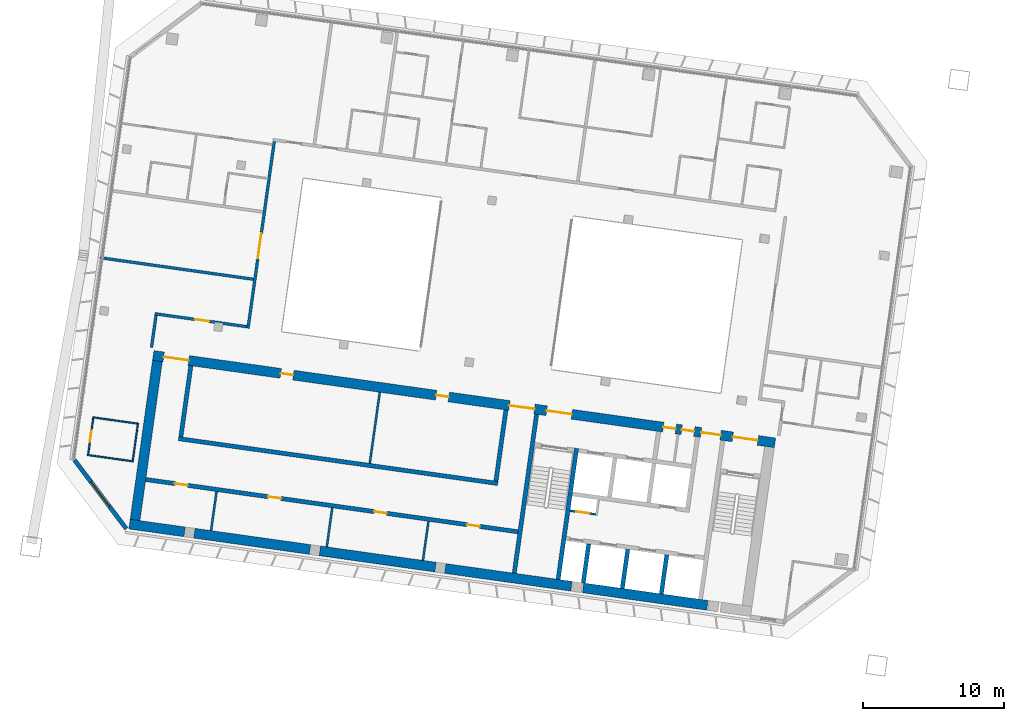
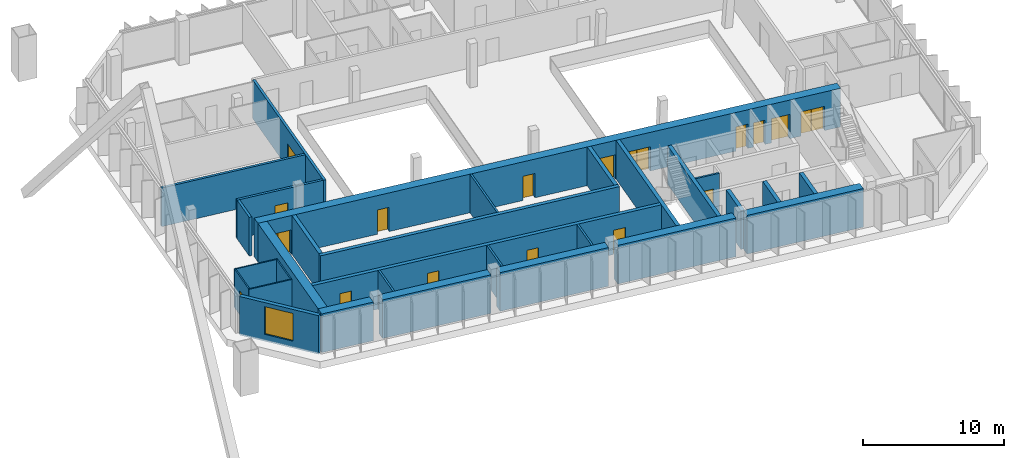
# One storey, part 13 of 23: 30 walls, 17 doors, 1 window, 18 openings.
"""IFC4 building model written with IfcOpenShell, lengths in metres."""

from ifc_helpers import new_model, si_unit, direction, frame, frame_2d, origin, place, context, subcontext, project, spatial, rectangle, extrude, material, layer, layer_set, type_object, element, fill, save


model = new_model("IFC4")

# Units and contexts
model_context = context("Model", 3, precision=1e-05, world=origin(), true_north=direction((0.0, 1.0)))
body_context = subcontext(model_context, "Body", "Model", "MODEL_VIEW")
ifc_project = project(units=[si_unit("LENGTHUNIT", "METRE"), si_unit("AREAUNIT", "SQUARE_METRE"), si_unit("VOLUMEUNIT", "CUBIC_METRE"), si_unit("PLANEANGLEUNIT", "RADIAN"), si_unit("MASSUNIT", "GRAM", prefix="KILO")], contexts=[model_context])

# Site, building, storey
site_placement = place(None, origin())
site = spatial("IfcSite", under=ifc_project, at=site_placement, CompositionType="ELEMENT")
building_placement = place(site_placement, origin())
building = spatial("IfcBuilding", under=site, at=building_placement, Name="Mirante Cascada Hotel Towers", CompositionType="ELEMENT")
storey_placement = place(building_placement, frame((0.0, 0.0, 195.4)))
storey = spatial("IfcBuildingStorey", under=building, at=storey_placement, Name="L46", CompositionType="ELEMENT", Elevation=195.4)

# Wall, opening, door
ifc_material_1 = material(Name="Fire-rated plasterboard on metal studs")
ifc_layer_1 = layer(ifc_material_1, 0.2)
ifc_layer_set_1 = layer_set([ifc_layer_1], Name="Compartment wall 200 EI 120")
wall_type_1 = type_object("IfcWallType", Name="Compartment wall 200 EI 120", PredefinedType="PARTITIONING", material=ifc_layer_set_1)
wall_1_placement = place(storey_placement, frame((-79.5905, 1.5361, 0.0), z_axis=(0.0, 0.0, 1.0), x_axis=(0.990267, -0.139181, 0.0)))
wall_1 = element("IfcWall", 1, at=wall_1_placement, inside=storey, type_object=wall_type_1, Name="Wall 1-L46-06", PredefinedType="PARTITIONING", context=body_context, shape_type="SweptSolid", body=[
    extrude(rectangle(XDim=6.6, YDim=0.2, at=frame_2d((3.3, 0.0))), origin(), (0.0, 0.0, 1.0), 3.35),
])
opening_1_placement = place(wall_1_placement, frame((2.9, 0.0, 0.0)))
opening_1 = element("IfcOpeningElement", 2, at=opening_1_placement, cuts=wall_1, Name="Opening D1-L46-03", PredefinedType="OPENING", context=body_context, shape_type="SweptSolid", body=[
    extrude(rectangle(XDim=1.0, YDim=2.1, at=frame_2d((0.5, 1.05))), frame((0.0, 0.1, 0.0), z_axis=(0.0, -1.0, 0.0), x_axis=(1.0, 0.0, 0.0)), (0.0, 0.0, 1.0), 0.2),
])
ifc_material_2 = material(Name="Fire-rated timber door leaf", Category="wood")
door_type_1 = type_object("IfcDoorType", Name="Entrance door DG1 1000x2100 EI 60", OperationType="SINGLE_SWING_LEFT", PredefinedType="DOOR", material=ifc_material_2)
door_1_placement = place(opening_1_placement, frame((1.0, 0.0, 0.0), z_axis=(0.0, 0.0, 1.0), x_axis=(-1.0, 0.0, 0.0)))
door_1 = element("IfcDoor", 3, at=door_1_placement, inside=storey, type_object=door_type_1, Name="Door D1-L46-03", OperationType="SINGLE_SWING_RIGHT", OverallHeight=2.1, OverallWidth=1.0, PredefinedType="DOOR", context=body_context, shape_type="SweptSolid", body=[
    extrude(rectangle(XDim=1.0, YDim=2.1, at=frame_2d((0.5, 1.05))), frame((0.0, 0.025, 0.0), z_axis=(0.0, -1.0, 0.0), x_axis=(1.0, 0.0, 0.0)), (0.0, 0.0, 1.0), 0.05),
])
fill(opening_1, door_1)

# Wall
wall_2_placement = place(storey_placement, frame((-83.4745, 5.5153, 0.0), z_axis=(0.0, 0.0, 1.0), x_axis=(0.9902682, -0.1391721, 0.0)))
element("IfcWall", 4, at=wall_2_placement, inside=storey, type_object=wall_type_1, Name="Wall 1-L46-10", PredefinedType="PARTITIONING", context=body_context, shape_type="SweptSolid", body=[
    extrude(rectangle(XDim=11.0001, YDim=0.2, at=frame_2d((5.5, 0.0))), origin(), (0.0, 0.0, 1.0), 3.35),
])

# Wall, opening, door
wall_3_placement = place(storey_placement, frame((-72.9696, 0.5046, 0.0), z_axis=(0.0, 0.0, 1.0), x_axis=(0.1391716, 0.9902683, 0.0)))
wall_3 = element("IfcWall", 5, at=wall_3_placement, inside=storey, type_object=wall_type_1, Name="Wall 1-L46-47", PredefinedType="PARTITIONING", context=body_context, shape_type="SweptSolid", body=[
    extrude(rectangle(XDim=13.4, YDim=0.2, at=frame_2d((6.7, 0.0))), origin(), (0.0, 0.0, 1.0), 3.35),
])
opening_2_placement = place(wall_3_placement, frame((5.0167, 0.0, 0.0)))
opening_2 = element("IfcOpeningElement", 6, at=opening_2_placement, cuts=wall_3, Name="Opening D1-L46-28", PredefinedType="OPENING", context=body_context, shape_type="SweptSolid", body=[
    extrude(rectangle(XDim=1.8, YDim=2.1, at=frame_2d((0.9, 1.05))), frame((0.0, 0.1, 0.0), z_axis=(0.0, -1.0, 0.0), x_axis=(1.0, 0.0, 0.0)), (0.0, 0.0, 1.0), 0.2),
])
ifc_material_3 = material(Name="Fire-rated timber door leaf", Category="wood")
door_type_2 = type_object("IfcDoorType", Name="Suite double door DG2 1800x2100 EI 60", OperationType="DOUBLE_DOOR_SINGLE_SWING", PredefinedType="DOOR", material=ifc_material_3)
door_2_placement = place(opening_2_placement, origin())
door_2 = element("IfcDoor", 7, at=door_2_placement, inside=storey, type_object=door_type_2, Name="Door D1-L46-28", OperationType="DOUBLE_DOOR_SINGLE_SWING", OverallHeight=2.1, OverallWidth=1.8, PredefinedType="DOOR", context=body_context, shape_type="SweptSolid", body=[
    extrude(rectangle(XDim=0.895, YDim=2.1, at=frame_2d((0.4475, 1.05))), frame((0.0, 0.025, 0.0), z_axis=(0.0, -1.0, 0.0), x_axis=(1.0, 0.0, 0.0)), (0.0, 0.0, 1.0), 0.05),
    extrude(rectangle(XDim=0.895, YDim=2.1, at=frame_2d((1.3525, 1.05))), frame((0.0, 0.025, 0.0), z_axis=(0.0, -1.0, 0.0), x_axis=(1.0, 0.0, 0.0)), (0.0, 0.0, 1.0), 0.05),
])
fill(opening_2, door_2)

# Wall
wall_4_placement = place(storey_placement, frame((-79.5054, 1.4231, 0.0), z_axis=(0.0, 0.0, 1.0), x_axis=(-0.1391749, -0.9902678, 0.0)))
element("IfcWall", 8, at=wall_4_placement, inside=storey, type_object=wall_type_1, Name="Wall 1-L46-50", PredefinedType="PARTITIONING", context=body_context, shape_type="SweptSolid", body=[
    extrude(rectangle(XDim=2.3, YDim=0.2, at=frame_2d((1.15, 0.0))), origin(), (0.0, 0.0, 1.0), 3.35),
])

# Wall, opening, door
ifc_material_4 = material(Name="Masonry block", Category="masonry")
ifc_layer_2 = layer(ifc_material_4, 0.15)
ifc_layer_set_2 = layer_set([ifc_layer_2], Name="Core room partition 150 block EI 30")
wall_type_2 = type_object("IfcWallType", Name="Core room partition 150 block EI 30", PredefinedType="PARTITIONING", material=ifc_layer_set_2)
wall_5_placement = place(storey_placement, frame((-48.2933, -12.7083, 0.0), z_axis=(0.0, 0.0, 1.0), x_axis=(-0.990268, 0.1391734, 0.0)))
wall_5 = element("IfcWall", 9, at=wall_5_placement, inside=storey, type_object=wall_type_2, Name="Core wall partition T1 L46 3", PredefinedType="PARTITIONING", context=body_context, shape_type="SweptSolid", body=[
    extrude(rectangle(XDim=1.8251, YDim=0.15, at=frame_2d((0.9126, 0.0))), origin(), (0.0, 0.0, 1.0), 3.35),
])
opening_3_placement = place(wall_5_placement, frame((0.4625, 0.0, 0.0)))
opening_3 = element("IfcOpeningElement", 10, at=opening_3_placement, cuts=wall_5, Name="Opening D1-46-C15", PredefinedType="OPENING", context=body_context, shape_type="SweptSolid", body=[
    extrude(rectangle(XDim=0.9, YDim=2.1, at=frame_2d((0.45, 1.05))), frame((0.0, 0.075, 0.0), z_axis=(0.0, -1.0, 0.0), x_axis=(1.0, 0.0, 0.0)), (0.0, 0.0, 1.0), 0.15),
])
ifc_material_5 = material(Name="Hollow metal fire door leaf")
door_type_3 = type_object("IfcDoorType", Name="Fire door 900x2100 FD60", OperationType="NOTDEFINED", PredefinedType="DOOR", material=ifc_material_5)
door_3_placement = place(opening_3_placement, origin())
door_3 = element("IfcDoor", 11, at=door_3_placement, inside=storey, type_object=door_type_3, Name="Riser door T1 L46 15", OperationType="SINGLE_SWING_LEFT", OverallHeight=2.1, OverallWidth=0.9, PredefinedType="DOOR", context=body_context, shape_type="SweptSolid", body=[
    extrude(rectangle(XDim=0.9, YDim=2.1, at=frame_2d((0.45, 1.05))), frame((0.0, 0.025, 0.0), z_axis=(0.0, -1.0, 0.0), x_axis=(1.0, 0.0, 0.0)), (0.0, 0.0, 1.0), 0.05),
])
fill(opening_3, door_3)

# Walls
for number, where, z_axis, x_axis, name in (
    (12, (-60.5436, -15.9853, 0.0), (0.0, 0.0, 1.0), (0.139176, 0.9902677, 0.0), "Core wall partition T1 L46 6"),
    (13, (-67.3765, -15.025, 0.0), (0.0, 0.0, 1.0), (0.139176, 0.9902677, 0.0), "Core wall partition T1 L46 7"),
):
    element("IfcWall", number, at=place(storey_placement, frame(where, z_axis=z_axis, x_axis=x_axis)), inside=storey, type_object=wall_type_2, Name=name, PredefinedType="PARTITIONING", context=body_context, shape_type="SweptSolid", body=[
        extrude(rectangle(XDim=2.8001, YDim=0.15, at=frame_2d((1.4, 0.0))), origin(), (0.0, 0.0, 1.0), 3.35),
    ])
wall_6_placement = place(storey_placement, frame((-75.5957, -13.8698, 0.0), z_axis=(0.0, 0.0, 1.0), x_axis=(0.139181, 0.990267, 0.0)))
element("IfcWall", 14, at=wall_6_placement, inside=storey, type_object=wall_type_2, Name="Core wall partition T1 L46 8", PredefinedType="PARTITIONING", context=body_context, shape_type="SweptSolid", body=[
    extrude(rectangle(XDim=2.8, YDim=0.15, at=frame_2d((1.4, 0.0))), origin(), (0.0, 0.0, 1.0), 3.35),
])
wall_7_placement = place(storey_placement, frame((-64.3211, -9.0925, 0.0), z_axis=(0.0, 0.0, 1.0), x_axis=(0.1391755, 0.9902677, 0.0)))
element("IfcWall", 15, at=wall_7_placement, inside=storey, type_object=wall_type_2, Name="Core wall partition T1 L46 9", PredefinedType="PARTITIONING", context=body_context, shape_type="SweptSolid", body=[
    extrude(rectangle(XDim=5.1, YDim=0.15, at=frame_2d((2.55, 0.0))), origin(), (0.0, 0.0, 1.0), 3.35),
])

# Wall, openings, doors
ifc_material_6 = material(Name="Masonry block", Category="masonry")
ifc_layer_3 = layer(ifc_material_6, 0.3)
ifc_layer_set_3 = layer_set([ifc_layer_3], Name="Core wall 300 block EI 120")
wall_type_3 = type_object("IfcWallType", Name="Core wall 300 block EI 120", PredefinedType="PARTITIONING", material=ifc_layer_set_3)
wall_8_placement = place(storey_placement, frame((-53.7953, -13.9547, 0.0), z_axis=(0.0, 0.0, 1.0), x_axis=(-0.9902677, 0.1391758, 0.0)))
wall_8 = element("IfcWall", 16, at=wall_8_placement, inside=storey, type_object=wall_type_3, Name="Core wall partition T1 L46 5", PredefinedType="PARTITIONING", context=body_context, shape_type="SweptSolid", body=[
    extrude(rectangle(XDim=26.7001, YDim=0.3, at=frame_2d((13.35, 0.0))), origin(), (0.0, 0.0, 1.0), 3.35),
])
opening_4_placement = place(wall_8_placement, frame((2.75, 0.0, 0.0)))
opening_4 = element("IfcOpeningElement", 17, at=opening_4_placement, cuts=wall_8, Name="Opening D1-46-C18", PredefinedType="OPENING", context=body_context, shape_type="SweptSolid", body=[
    extrude(rectangle(XDim=0.9, YDim=2.1, at=frame_2d((0.45, 1.05))), frame((0.0, 0.15, 0.0), z_axis=(0.0, -1.0, 0.0), x_axis=(1.0, 0.0, 0.0)), (0.0, 0.0, 1.0), 0.3),
])
opening_5_placement = place(wall_8_placement, frame((9.4, 0.0, 0.0)))
opening_5 = element("IfcOpeningElement", 18, at=opening_5_placement, cuts=wall_8, Name="Opening D1-46-C19", PredefinedType="OPENING", context=body_context, shape_type="SweptSolid", body=[
    extrude(rectangle(XDim=0.9, YDim=2.1, at=frame_2d((0.45, 1.05))), frame((0.0, 0.15, 0.0), z_axis=(0.0, -1.0, 0.0), x_axis=(1.0, 0.0, 0.0)), (0.0, 0.0, 1.0), 0.3),
])
opening_6_placement = place(wall_8_placement, frame((17.0, 0.0, 0.0)))
opening_6 = element("IfcOpeningElement", 19, at=opening_6_placement, cuts=wall_8, Name="Opening D1-46-C20", PredefinedType="OPENING", context=body_context, shape_type="SweptSolid", body=[
    extrude(rectangle(XDim=0.9, YDim=2.1, at=frame_2d((0.45, 1.05))), frame((0.0, 0.15, 0.0), z_axis=(0.0, -1.0, 0.0), x_axis=(1.0, 0.0, 0.0)), (0.0, 0.0, 1.0), 0.3),
])
opening_7_placement = place(wall_8_placement, frame((23.7, 0.0, 0.0)))
opening_7 = element("IfcOpeningElement", 20, at=opening_7_placement, cuts=wall_8, Name="Opening D1-46-C21", PredefinedType="OPENING", context=body_context, shape_type="SweptSolid", body=[
    extrude(rectangle(XDim=0.9, YDim=2.1, at=frame_2d((0.45, 1.05))), frame((0.0, 0.15, 0.0), z_axis=(0.0, -1.0, 0.0), x_axis=(1.0, 0.0, 0.0)), (0.0, 0.0, 1.0), 0.3),
])
door_4_placement = place(opening_4_placement, origin())
door_4 = element("IfcDoor", 21, at=door_4_placement, inside=storey, type_object=door_type_3, Name="Room door T1 L46 18", OperationType="SINGLE_SWING_RIGHT", OverallHeight=2.1, OverallWidth=0.9, PredefinedType="DOOR", context=body_context, shape_type="SweptSolid", body=[
    extrude(rectangle(XDim=0.9, YDim=2.1, at=frame_2d((0.45, 1.05))), frame((0.0, 0.025, 0.0), z_axis=(0.0, -1.0, 0.0), x_axis=(1.0, 0.0, 0.0)), (0.0, 0.0, 1.0), 0.05),
])
fill(opening_4, door_4)
door_5_placement = place(opening_5_placement, origin())
door_5 = element("IfcDoor", 22, at=door_5_placement, inside=storey, type_object=door_type_3, Name="Room door T1 L46 19", OperationType="SINGLE_SWING_RIGHT", OverallHeight=2.1, OverallWidth=0.9, PredefinedType="DOOR", context=body_context, shape_type="SweptSolid", body=[
    extrude(rectangle(XDim=0.9, YDim=2.1, at=frame_2d((0.45, 1.05))), frame((0.0, 0.025, 0.0), z_axis=(0.0, -1.0, 0.0), x_axis=(1.0, 0.0, 0.0)), (0.0, 0.0, 1.0), 0.05),
])
fill(opening_5, door_5)
door_6_placement = place(opening_6_placement, origin())
door_6 = element("IfcDoor", 23, at=door_6_placement, inside=storey, type_object=door_type_3, Name="Room door T1 L46 20", OperationType="SINGLE_SWING_LEFT", OverallHeight=2.1, OverallWidth=0.9, PredefinedType="DOOR", context=body_context, shape_type="SweptSolid", body=[
    extrude(rectangle(XDim=0.9, YDim=2.1, at=frame_2d((0.45, 1.05))), frame((0.0, 0.025, 0.0), z_axis=(0.0, -1.0, 0.0), x_axis=(1.0, 0.0, 0.0)), (0.0, 0.0, 1.0), 0.05),
])
fill(opening_6, door_6)
door_7_placement = place(opening_7_placement, origin())
door_7 = element("IfcDoor", 24, at=door_7_placement, inside=storey, type_object=door_type_3, Name="Room door T1 L46 21", OperationType="SINGLE_SWING_LEFT", OverallHeight=2.1, OverallWidth=0.9, PredefinedType="DOOR", context=body_context, shape_type="SweptSolid", body=[
    extrude(rectangle(XDim=0.9, YDim=2.1, at=frame_2d((0.45, 1.05))), frame((0.0, 0.025, 0.0), z_axis=(0.0, -1.0, 0.0), x_axis=(1.0, 0.0, 0.0)), (0.0, 0.0, 1.0), 0.05),
])
fill(opening_7, door_7)

# Walls
ifc_material_7 = material(Name="Plasterboard on metal studs")
ifc_layer_4 = layer(ifc_material_7, 0.1)
ifc_layer_set_4 = layer_set([ifc_layer_4], Name="Partition 100")
wall_type_4 = type_object("IfcWallType", Name="Partition 100", PredefinedType="PARTITIONING", material=ifc_layer_set_4)
for number, where, z_axis, x_axis, name in (
    (25, (-84.3831, -8.4945, 0.0), (0.0, 0.0, 1.0), (0.990267, -0.139181, 0.0), "Wall 1-L46-02"),
    (26, (-80.7395, -6.2801, 0.0), (0.0, 0.0, 1.0), (-0.990267, 0.139181, 0.0), "Wall 1-L46-03"),
):
    element("IfcWall", number, at=place(storey_placement, frame(where, z_axis=z_axis, x_axis=x_axis)), inside=storey, type_object=wall_type_4, Name=name, PredefinedType="PARTITIONING", context=body_context, shape_type="SweptSolid", body=[
        extrude(rectangle(XDim=3.3, YDim=0.1, at=frame_2d((1.65, 0.0))), origin(), (0.0, 0.0, 1.0), 3.35),
    ])
wall_9_placement = place(storey_placement, frame((-81.1578, -8.8973, 0.0), z_axis=(0.0, 0.0, 1.0), x_axis=(0.1391918, 0.9902654, 0.0)))
element("IfcWall", 27, at=wall_9_placement, inside=storey, type_object=wall_type_4, Name="Wall 1-L46-51", PredefinedType="PARTITIONING", context=body_context, shape_type="SweptSolid", body=[
    extrude(rectangle(XDim=2.6, YDim=0.1, at=frame_2d((1.3, 0.0))), origin(), (0.0, 0.0, 1.0), 3.35),
])

# Wall, opening, door
wall_10_placement = place(storey_placement, frame((-84.3266, -8.452, 0.0), z_axis=(0.0, 0.0, 1.0), x_axis=(0.1391541, 0.9902707, 0.0)))
wall_10 = element("IfcWall", 28, at=wall_10_placement, inside=storey, type_object=wall_type_4, Name="Wall 1-L46-53", PredefinedType="PARTITIONING", context=body_context, shape_type="SweptSolid", body=[
    extrude(rectangle(XDim=2.6, YDim=0.1, at=frame_2d((1.3, 0.0))), origin(), (0.0, 0.0, 1.0), 3.35),
])
opening_8_placement = place(wall_10_placement, frame((0.9, 0.0, 0.0)))
opening_8 = element("IfcOpeningElement", 29, at=opening_8_placement, cuts=wall_10, Name="Opening D1-L46-31", PredefinedType="OPENING", context=body_context, shape_type="SweptSolid", body=[
    extrude(rectangle(XDim=0.8, YDim=2.1, at=frame_2d((0.4, 1.05))), frame((0.0, 0.05, 0.0), z_axis=(0.0, -1.0, 0.0), x_axis=(1.0, 0.0, 0.0)), (0.0, 0.0, 1.0), 0.1),
])
ifc_material_8 = material(Name="Timber door leaf", Category="wood")
door_type_4 = type_object("IfcDoorType", Name="Bathroom door DG4 800x2100", OperationType="SINGLE_SWING_LEFT", PredefinedType="DOOR", material=ifc_material_8)
door_8_placement = place(opening_8_placement, frame((0.8, 0.0, 0.0), z_axis=(0.0, 0.0, 1.0), x_axis=(-1.0, 0.0, 0.0)))
door_8 = element("IfcDoor", 30, at=door_8_placement, inside=storey, type_object=door_type_4, Name="Door D1-L46-31", OperationType="SINGLE_SWING_RIGHT", OverallHeight=2.1, OverallWidth=0.8, PredefinedType="DOOR", context=body_context, shape_type="SweptSolid", body=[
    extrude(rectangle(XDim=0.8, YDim=2.1, at=frame_2d((0.4, 1.05))), frame((0.0, 0.025, 0.0), z_axis=(0.0, -1.0, 0.0), x_axis=(1.0, 0.0, 0.0)), (0.0, 0.0, 1.0), 0.05),
])
fill(opening_8, door_8)

# Wall, opening, window
ifc_material_9 = material(Name="Precast concrete C40/50", Category="concrete")
ifc_layer_5 = layer(ifc_material_9, 0.3)
ifc_layer_set_5 = layer_set([ifc_layer_5], Name="Precast concrete C40/50 cladding wall 300")
wall_type_5 = type_object("IfcWallType", Name="Precast concrete C40/50 cladding wall 300", PredefinedType="STANDARD", material=ifc_layer_set_5)
wall_11_placement = place(storey_placement, frame((-81.6175, -13.7366, 0.0), z_axis=(0.0, 0.0, 1.0), x_axis=(-0.6018141, 0.7986362, 0.0)))
wall_11 = element("IfcWall", 31, at=wall_11_placement, inside=storey, type_object=wall_type_5, Name="Corner cladding wall T1 L46 rear outer", PredefinedType="STANDARD", context=body_context, shape_type="SweptSolid", body=[
    extrude(rectangle(XDim=6.1157, YDim=0.3, at=frame_2d((3.0578, 0.0))), origin(), (0.0, 0.0, 1.0), 3.35),
])
opening_9_placement = place(wall_11_placement, frame((1.9578, 0.0, 0.6)))
opening_9 = element("IfcOpeningElement", 32, at=opening_9_placement, cuts=wall_11, Name="Opening W1-46-01", PredefinedType="OPENING", context=body_context, shape_type="SweptSolid", body=[
    extrude(rectangle(XDim=2.2, YDim=2.4, at=frame_2d((1.1, 1.2))), frame((0.0, 0.15, 0.0), z_axis=(0.0, -1.0, 0.0), x_axis=(1.0, 0.0, 0.0)), (0.0, 0.0, 1.0), 0.3),
])
ifc_material_10 = material(Name="Aluminium frame with clear double glazing", Category="aluminium")
window_type = type_object("IfcWindowType", Name="Corner suite window 2200x2400", PartitioningType="DOUBLE_PANEL_VERTICAL", PredefinedType="WINDOW", material=ifc_material_10)
window_placement = place(opening_9_placement, origin())
window = element("IfcWindow", 33, at=window_placement, inside=storey, type_object=window_type, Name="Window W1-46-01", OverallHeight=2.4, OverallWidth=2.2, PartitioningType="SINGLE_PANEL", PredefinedType="WINDOW", context=body_context, shape_type="SweptSolid", body=[
    extrude(rectangle(XDim=2.2, YDim=2.4, at=frame_2d((1.1, 1.2))), frame((0.0, 0.03, 0.0), z_axis=(0.0, -1.0, 0.0), x_axis=(1.0, 0.0, 0.0)), (0.0, 0.0, 1.0), 0.06),
])
fill(opening_9, window)

# Walls
ifc_material_11 = material(Name="Concrete C50/60", Category="concrete")
ifc_layer_6 = layer(ifc_material_11, 0.3)
ifc_layer_set_6 = layer_set([ifc_layer_6], Name="RC core wall 300 C50/60")
wall_type_6 = type_object("IfcWallType", Name="RC core wall 300 C50/60", PredefinedType="SHEAR", material=ifc_layer_set_6)
wall_12_placement = place(storey_placement, frame((-50.938, -17.3352, 0.0), z_axis=(0.0, 0.0, 1.0), x_axis=(0.1391706, 0.9902684, 0.0)))
element("IfcWall", 34, at=wall_12_placement, inside=storey, type_object=wall_type_6, Name="Core wall T1:L46:6", PredefinedType="SHEAR", context=body_context, shape_type="SweptSolid", body=[
    extrude(rectangle(XDim=9.4, YDim=0.3, at=frame_2d((4.7, 0.0))), origin(), (0.0, 0.0, 1.0), 3.35),
])
wall_13_placement = place(storey_placement, frame((-54.0574, -16.8968, 0.0), z_axis=(0.0, 0.0, 1.0), x_axis=(0.1391761, 0.9902677, 0.0)))
element("IfcWall", 35, at=wall_13_placement, inside=storey, type_object=wall_type_6, Name="Core wall T1:L46:7", PredefinedType="SHEAR", context=body_context, shape_type="SweptSolid", body=[
    extrude(rectangle(XDim=11.3999, YDim=0.3, at=frame_2d((5.7, 0.0))), origin(), (0.0, 0.0, 1.0), 3.35),
])
wall_14_placement = place(storey_placement, frame((-43.61, -18.3651, 0.0), z_axis=(0.0, 0.0, 1.0), x_axis=(0.1391459, 0.9902719, 0.0)))
element("IfcWall", 36, at=wall_14_placement, inside=storey, type_object=wall_type_6, Name="Core wall T1:L46:13", PredefinedType="SHEAR", context=body_context, shape_type="SweptSolid", body=[
    extrude(rectangle(XDim=2.7999, YDim=0.3, at=frame_2d((1.4, 0.0))), origin(), (0.0, 0.0, 1.0), 3.35),
])
wall_15_placement = place(storey_placement, frame((-46.3828, -17.9754, 0.0), z_axis=(0.0, 0.0, 1.0), x_axis=(0.139181, 0.990267, 0.0)))
element("IfcWall", 37, at=wall_15_placement, inside=storey, type_object=wall_type_6, Name="Core wall T1:L46:14", PredefinedType="SHEAR", context=body_context, shape_type="SweptSolid", body=[
    extrude(rectangle(XDim=2.8, YDim=0.3, at=frame_2d((1.4, 0.0))), origin(), (0.0, 0.0, 1.0), 3.35),
])
wall_16_placement = place(storey_placement, frame((-49.1555, -17.5857, 0.0), z_axis=(0.0, 0.0, 1.0), x_axis=(0.1391459, 0.9902719, 0.0)))
element("IfcWall", 38, at=wall_16_placement, inside=storey, type_object=wall_type_6, Name="Core wall T1:L46:15", PredefinedType="SHEAR", context=body_context, shape_type="SweptSolid", body=[
    extrude(rectangle(XDim=2.7999, YDim=0.3, at=frame_2d((1.4, 0.0))), origin(), (0.0, 0.0, 1.0), 3.35),
])
wall_17_placement = place(storey_placement, frame((-55.2315, -10.5214, 0.0), z_axis=(0.0, 0.0, 1.0), x_axis=(-0.9902678, 0.1391749, 0.0)))
element("IfcWall", 39, at=wall_17_placement, inside=storey, type_object=wall_type_6, Name="Core wall T1:L46:27", PredefinedType="SHEAR", context=body_context, shape_type="SweptSolid", body=[
    extrude(rectangle(XDim=22.9, YDim=0.3, at=frame_2d((11.45, 0.0))), origin(), (0.0, 0.0, 1.0), 3.35),
])
for number, where, z_axis, x_axis, name in (
    (40, (-55.3592, -10.352, 0.0), (0.0, 0.0, 1.0), (0.1391755, 0.9902677, 0.0), "Core wall T1:L46:28"),
    (41, (-77.7392, -7.2067, 0.0), (0.0, 0.0, 1.0), (0.1391755, 0.9902677, 0.0), "Core wall T1:L46:29"),
):
    element("IfcWall", number, at=place(storey_placement, frame(where, z_axis=z_axis, x_axis=x_axis)), inside=storey, type_object=wall_type_6, Name=name, PredefinedType="SHEAR", context=body_context, shape_type="SweptSolid", body=[
        extrude(rectangle(XDim=5.1, YDim=0.3, at=frame_2d((2.55, 0.0))), origin(), (0.0, 0.0, 1.0), 3.35),
    ])
ifc_material_12 = material(Name="Concrete C50/60", Category="concrete")
ifc_layer_7 = layer(ifc_material_12, 0.7)
ifc_layer_set_7 = layer_set([ifc_layer_7], Name="RC core wall 700 C50/60")
wall_type_7 = type_object("IfcWallType", Name="RC core wall 700 C50/60", PredefinedType="SHEAR", material=ifc_layer_set_7)
wall_18_placement = place(storey_placement, frame((-40.3442, -19.1775, 0.0), z_axis=(0.0, 0.0, 1.0), x_axis=(-0.9902683, 0.1391713, 0.0)))
element("IfcWall", 42, at=wall_18_placement, inside=storey, type_object=wall_type_7, Name="Core wall T1:L46:1.2", PredefinedType="SHEAR", context=body_context, shape_type="SweptSolid", body=[
    extrude(rectangle(XDim=8.9113, YDim=0.7, at=frame_2d((4.4556, 0.0))), origin(), (0.0, 0.0, 1.0), 3.35),
])
wall_19_placement = place(storey_placement, frame((-49.9979, -17.8208, 0.0), z_axis=(0.0, 0.0, 1.0), x_axis=(-0.9902683, 0.1391714, 0.0)))
element("IfcWall", 43, at=wall_19_placement, inside=storey, type_object=wall_type_7, Name="Core wall T1:L46:1.3", PredefinedType="SHEAR", context=body_context, shape_type="SweptSolid", body=[
    extrude(rectangle(XDim=9.0486, YDim=0.7, at=frame_2d((4.5243, 0.0))), origin(), (0.0, 0.0, 1.0), 3.35),
])
for number, where, z_axis, x_axis, name in (
    (44, (-59.6516, -16.4641, 0.0), (0.0, 0.0, 1.0), (-0.990267, 0.139181, 0.0), "Core wall T1:L46:1.4"),
    (45, (-68.564, -15.2115, 0.0), (0.0, 0.0, 1.0), (-0.9902686, 0.1391692, 0.0), "Core wall T1:L46:1.5"),
):
    element("IfcWall", number, at=place(storey_placement, frame(where, z_axis=z_axis, x_axis=x_axis)), inside=storey, type_object=wall_type_7, Name=name, PredefinedType="SHEAR", context=body_context, shape_type="SweptSolid", body=[
        extrude(rectangle(XDim=8.3, YDim=0.7, at=frame_2d((4.15, 0.0))), origin(), (0.0, 0.0, 1.0), 3.35),
    ])
wall_20_placement = place(storey_placement, frame((-77.4764, -13.9589, 0.0), z_axis=(0.0, 0.0, 1.0), x_axis=(-0.9902694, 0.1391633, 0.0)))
element("IfcWall", 46, at=wall_20_placement, inside=storey, type_object=wall_type_7, Name="Core wall T1:L46:1.6", PredefinedType="SHEAR", context=body_context, shape_type="SweptSolid", body=[
    extrude(rectangle(XDim=3.95, YDim=0.7, at=frame_2d((1.975, 0.0))), origin(), (0.0, 0.0, 1.0), 3.35),
])

# Wall, openings, doors
wall_21_placement = place(storey_placement, frame((-35.538, -7.6341, 0.0), z_axis=(0.0, 0.0, 1.0), x_axis=(-0.9902682, 0.1391725, 0.0)))
wall_21 = element("IfcWall", 47, at=wall_21_placement, inside=storey, type_object=wall_type_7, Name="Core wall T1:L46:2", PredefinedType="SHEAR", context=body_context, shape_type="SweptSolid", body=[
    extrude(rectangle(XDim=44.6, YDim=0.7, at=frame_2d((22.3, 0.0))), origin(), (0.0, 0.0, 1.0), 3.35),
])
opening_10_placement = place(wall_21_placement, frame((1.225, 0.0, 0.0)))
opening_10 = element("IfcOpeningElement", 48, at=opening_10_placement, cuts=wall_21, Name="Opening D1-46-C08", PredefinedType="OPENING", context=body_context, shape_type="SweptSolid", body=[
    extrude(rectangle(XDim=1.8, YDim=2.1, at=frame_2d((0.9, 1.05))), frame((0.0, 0.35, 0.0), z_axis=(0.0, -1.0, 0.0), x_axis=(1.0, 0.0, 0.0)), (0.0, 0.0, 1.0), 0.7),
])
opening_11_placement = place(wall_21_placement, frame((14.575, 0.0, 0.0)))
opening_11 = element("IfcOpeningElement", 49, at=opening_11_placement, cuts=wall_21, Name="Opening D1-46-C10", PredefinedType="OPENING", context=body_context, shape_type="SweptSolid", body=[
    extrude(rectangle(XDim=1.8, YDim=2.1, at=frame_2d((0.9, 1.05))), frame((0.0, 0.35, 0.0), z_axis=(0.0, -1.0, 0.0), x_axis=(1.0, 0.0, 0.0)), (0.0, 0.0, 1.0), 0.7),
])
opening_12_placement = place(wall_21_placement, frame((3.9, 0.0, 0.0)))
opening_12 = element("IfcOpeningElement", 50, at=opening_12_placement, cuts=wall_21, Name="Opening D1-46-C11", PredefinedType="OPENING", context=body_context, shape_type="SweptSolid", body=[
    extrude(rectangle(XDim=1.4, YDim=2.1, at=frame_2d((0.7, 1.05))), frame((0.0, 0.35, 0.0), z_axis=(0.0, -1.0, 0.0), x_axis=(1.0, 0.0, 0.0)), (0.0, 0.0, 1.0), 0.7),
])
opening_13_placement = place(wall_21_placement, frame((17.25, 0.0, 0.0)))
opening_13 = element("IfcOpeningElement", 51, at=opening_13_placement, cuts=wall_21, Name="Opening D1-46-C12", PredefinedType="OPENING", context=body_context, shape_type="SweptSolid", body=[
    extrude(rectangle(XDim=1.8, YDim=2.1, at=frame_2d((0.9, 1.05))), frame((0.0, 0.35, 0.0), z_axis=(0.0, -1.0, 0.0), x_axis=(1.0, 0.0, 0.0)), (0.0, 0.0, 1.0), 0.7),
])
opening_14_placement = place(wall_21_placement, frame((42.05, 0.0, 0.0)))
opening_14 = element("IfcOpeningElement", 52, at=opening_14_placement, cuts=wall_21, Name="Opening D1-46-C13", PredefinedType="OPENING", context=body_context, shape_type="SweptSolid", body=[
    extrude(rectangle(XDim=1.8, YDim=2.1, at=frame_2d((0.9, 1.05))), frame((0.0, 0.35, 0.0), z_axis=(0.0, -1.0, 0.0), x_axis=(1.0, 0.0, 0.0)), (0.0, 0.0, 1.0), 0.7),
])
opening_15_placement = place(wall_21_placement, frame((5.7875, 0.0, 0.0)))
opening_15 = element("IfcOpeningElement", 53, at=opening_15_placement, cuts=wall_21, Name="Opening D1-46-C16", PredefinedType="OPENING", context=body_context, shape_type="SweptSolid", body=[
    extrude(rectangle(XDim=0.9, YDim=2.1, at=frame_2d((0.45, 1.05))), frame((0.0, 0.35, 0.0), z_axis=(0.0, -1.0, 0.0), x_axis=(1.0, 0.0, 0.0)), (0.0, 0.0, 1.0), 0.7),
])
opening_16_placement = place(wall_21_placement, frame((7.1125, 0.0, 0.0)))
opening_16 = element("IfcOpeningElement", 54, at=opening_16_placement, cuts=wall_21, Name="Opening D1-46-C17", PredefinedType="OPENING", context=body_context, shape_type="SweptSolid", body=[
    extrude(rectangle(XDim=0.9, YDim=2.1, at=frame_2d((0.45, 1.05))), frame((0.0, 0.35, 0.0), z_axis=(0.0, -1.0, 0.0), x_axis=(1.0, 0.0, 0.0)), (0.0, 0.0, 1.0), 0.7),
])
opening_17_placement = place(wall_21_placement, frame((23.4, 0.0, 0.0)))
opening_17 = element("IfcOpeningElement", 55, at=opening_17_placement, cuts=wall_21, Name="Opening D1-46-C22", PredefinedType="OPENING", context=body_context, shape_type="SweptSolid", body=[
    extrude(rectangle(XDim=0.9, YDim=2.1, at=frame_2d((0.45, 1.05))), frame((0.0, 0.35, 0.0), z_axis=(0.0, -1.0, 0.0), x_axis=(1.0, 0.0, 0.0)), (0.0, 0.0, 1.0), 0.7),
])
opening_18_placement = place(wall_21_placement, frame((34.55, 0.0, 0.0)))
opening_18 = element("IfcOpeningElement", 56, at=opening_18_placement, cuts=wall_21, Name="Opening D1-46-C23", PredefinedType="OPENING", context=body_context, shape_type="SweptSolid", body=[
    extrude(rectangle(XDim=0.9, YDim=2.1, at=frame_2d((0.45, 1.05))), frame((0.0, 0.35, 0.0), z_axis=(0.0, -1.0, 0.0), x_axis=(1.0, 0.0, 0.0)), (0.0, 0.0, 1.0), 0.7),
])
ifc_material_13 = material(Name="Hollow metal fire door leaf")
door_type_5 = type_object("IfcDoorType", Name="Double fire door 1400x2100 FD60", OperationType="DOUBLE_DOOR_SINGLE_SWING", PredefinedType="DOOR", material=ifc_material_13)
door_9_placement = place(opening_12_placement, frame((1.4, 0.0, 0.0), z_axis=(0.0, 0.0, 1.0), x_axis=(-1.0, 0.0, 0.0)))
door_9 = element("IfcDoor", 57, at=door_9_placement, inside=storey, type_object=door_type_5, Name="Exit door to gallery T1 L46 11", OperationType="DOUBLE_DOOR_SINGLE_SWING", OverallHeight=2.1, OverallWidth=1.4, PredefinedType="DOOR", context=body_context, shape_type="SweptSolid", body=[
    extrude(rectangle(XDim=0.695, YDim=2.1, at=frame_2d((0.3475, 1.05))), frame((0.0, 0.025, 0.0), z_axis=(0.0, -1.0, 0.0), x_axis=(1.0, 0.0, 0.0)), (0.0, 0.0, 1.0), 0.05),
    extrude(rectangle(XDim=0.695, YDim=2.1, at=frame_2d((1.0525, 1.05))), frame((0.0, 0.025, 0.0), z_axis=(0.0, -1.0, 0.0), x_axis=(1.0, 0.0, 0.0)), (0.0, 0.0, 1.0), 0.05),
])
fill(opening_12, door_9)
ifc_material_14 = material(Name="Hollow metal fire door leaf")
door_type_6 = type_object("IfcDoorType", Name="Double fire door 1800x2100 FD60", OperationType="DOUBLE_DOOR_SINGLE_SWING", PredefinedType="DOOR", material=ifc_material_14)
door_10_placement = place(opening_10_placement, origin())
door_10 = element("IfcDoor", 58, at=door_10_placement, inside=storey, type_object=door_type_6, Name="Exit door to gallery T1 L46 8", OperationType="DOUBLE_DOOR_SINGLE_SWING", OverallHeight=2.1, OverallWidth=1.8, PredefinedType="DOOR", context=body_context, shape_type="SweptSolid", body=[
    extrude(rectangle(XDim=0.895, YDim=2.1, at=frame_2d((0.4475, 1.05))), frame((0.0, 0.025, 0.0), z_axis=(0.0, -1.0, 0.0), x_axis=(1.0, 0.0, 0.0)), (0.0, 0.0, 1.0), 0.05),
    extrude(rectangle(XDim=0.895, YDim=2.1, at=frame_2d((1.3525, 1.05))), frame((0.0, 0.025, 0.0), z_axis=(0.0, -1.0, 0.0), x_axis=(1.0, 0.0, 0.0)), (0.0, 0.0, 1.0), 0.05),
])
fill(opening_10, door_10)
door_11_placement = place(opening_11_placement, origin())
door_11 = element("IfcDoor", 59, at=door_11_placement, inside=storey, type_object=door_type_6, Name="Exit door to gallery T1 L46 10", OperationType="DOUBLE_DOOR_SINGLE_SWING", OverallHeight=2.1, OverallWidth=1.8, PredefinedType="DOOR", context=body_context, shape_type="SweptSolid", body=[
    extrude(rectangle(XDim=0.895, YDim=2.1, at=frame_2d((0.4475, 1.05))), frame((0.0, 0.025, 0.0), z_axis=(0.0, -1.0, 0.0), x_axis=(1.0, 0.0, 0.0)), (0.0, 0.0, 1.0), 0.05),
    extrude(rectangle(XDim=0.895, YDim=2.1, at=frame_2d((1.3525, 1.05))), frame((0.0, 0.025, 0.0), z_axis=(0.0, -1.0, 0.0), x_axis=(1.0, 0.0, 0.0)), (0.0, 0.0, 1.0), 0.05),
])
fill(opening_11, door_11)
door_12_placement = place(opening_13_placement, frame((1.8, 0.0, 0.0), z_axis=(0.0, 0.0, 1.0), x_axis=(-1.0, 0.0, 0.0)))
door_12 = element("IfcDoor", 60, at=door_12_placement, inside=storey, type_object=door_type_6, Name="Exit door to gallery T1 L46 12", OperationType="DOUBLE_DOOR_SINGLE_SWING", OverallHeight=2.1, OverallWidth=1.8, PredefinedType="DOOR", context=body_context, shape_type="SweptSolid", body=[
    extrude(rectangle(XDim=0.895, YDim=2.1, at=frame_2d((0.4475, 1.05))), frame((0.0, 0.025, 0.0), z_axis=(0.0, -1.0, 0.0), x_axis=(1.0, 0.0, 0.0)), (0.0, 0.0, 1.0), 0.05),
    extrude(rectangle(XDim=0.895, YDim=2.1, at=frame_2d((1.3525, 1.05))), frame((0.0, 0.025, 0.0), z_axis=(0.0, -1.0, 0.0), x_axis=(1.0, 0.0, 0.0)), (0.0, 0.0, 1.0), 0.05),
])
fill(opening_13, door_12)
door_13_placement = place(opening_14_placement, frame((1.8, 0.0, 0.0), z_axis=(0.0, 0.0, 1.0), x_axis=(-1.0, 0.0, 0.0)))
door_13 = element("IfcDoor", 61, at=door_13_placement, inside=storey, type_object=door_type_6, Name="Exit door to gallery T1 L46 13", OperationType="DOUBLE_DOOR_SINGLE_SWING", OverallHeight=2.1, OverallWidth=1.8, PredefinedType="DOOR", context=body_context, shape_type="SweptSolid", body=[
    extrude(rectangle(XDim=0.895, YDim=2.1, at=frame_2d((0.4475, 1.05))), frame((0.0, 0.025, 0.0), z_axis=(0.0, -1.0, 0.0), x_axis=(1.0, 0.0, 0.0)), (0.0, 0.0, 1.0), 0.05),
    extrude(rectangle(XDim=0.895, YDim=2.1, at=frame_2d((1.3525, 1.05))), frame((0.0, 0.025, 0.0), z_axis=(0.0, -1.0, 0.0), x_axis=(1.0, 0.0, 0.0)), (0.0, 0.0, 1.0), 0.05),
])
fill(opening_14, door_13)
door_14_placement = place(opening_15_placement, origin())
door_14 = element("IfcDoor", 62, at=door_14_placement, inside=storey, type_object=door_type_3, Name="Room door T1 L46 16", OperationType="SINGLE_SWING_RIGHT", OverallHeight=2.1, OverallWidth=0.9, PredefinedType="DOOR", context=body_context, shape_type="SweptSolid", body=[
    extrude(rectangle(XDim=0.9, YDim=2.1, at=frame_2d((0.45, 1.05))), frame((0.0, 0.025, 0.0), z_axis=(0.0, -1.0, 0.0), x_axis=(1.0, 0.0, 0.0)), (0.0, 0.0, 1.0), 0.05),
])
fill(opening_15, door_14)
door_15_placement = place(opening_16_placement, origin())
door_15 = element("IfcDoor", 63, at=door_15_placement, inside=storey, type_object=door_type_3, Name="Room door T1 L46 17", OperationType="SINGLE_SWING_RIGHT", OverallHeight=2.1, OverallWidth=0.9, PredefinedType="DOOR", context=body_context, shape_type="SweptSolid", body=[
    extrude(rectangle(XDim=0.9, YDim=2.1, at=frame_2d((0.45, 1.05))), frame((0.0, 0.025, 0.0), z_axis=(0.0, -1.0, 0.0), x_axis=(1.0, 0.0, 0.0)), (0.0, 0.0, 1.0), 0.05),
])
fill(opening_16, door_15)
door_16_placement = place(opening_17_placement, origin())
door_16 = element("IfcDoor", 64, at=door_16_placement, inside=storey, type_object=door_type_3, Name="Room door T1 L46 22", OperationType="SINGLE_SWING_LEFT", OverallHeight=2.1, OverallWidth=0.9, PredefinedType="DOOR", context=body_context, shape_type="SweptSolid", body=[
    extrude(rectangle(XDim=0.9, YDim=2.1, at=frame_2d((0.45, 1.05))), frame((0.0, 0.025, 0.0), z_axis=(0.0, -1.0, 0.0), x_axis=(1.0, 0.0, 0.0)), (0.0, 0.0, 1.0), 0.05),
])
fill(opening_17, door_16)
door_17_placement = place(opening_18_placement, origin())
door_17 = element("IfcDoor", 65, at=door_17_placement, inside=storey, type_object=door_type_3, Name="Room door T1 L46 23", OperationType="SINGLE_SWING_LEFT", OverallHeight=2.1, OverallWidth=0.9, PredefinedType="DOOR", context=body_context, shape_type="SweptSolid", body=[
    extrude(rectangle(XDim=0.9, YDim=2.1, at=frame_2d((0.45, 1.05))), frame((0.0, 0.025, 0.0), z_axis=(0.0, -1.0, 0.0), x_axis=(1.0, 0.0, 0.0)), (0.0, 0.0, 1.0), 0.05),
])
fill(opening_18, door_17)

# Wall
wall_22_placement = place(storey_placement, frame((-80.9927, -13.1113, 0.0), z_axis=(0.0, 0.0, 1.0), x_axis=(0.1391761, 0.9902677, 0.0)))
element("IfcWall", 66, at=wall_22_placement, inside=storey, type_object=wall_type_7, Name="Core wall T1:L46:4", PredefinedType="SHEAR", context=body_context, shape_type="SweptSolid", body=[
    extrude(rectangle(XDim=11.3999, YDim=0.7, at=frame_2d((5.7, 0.0))), origin(), (0.0, 0.0, 1.0), 3.35),
])

save(model, "model.ifc")
